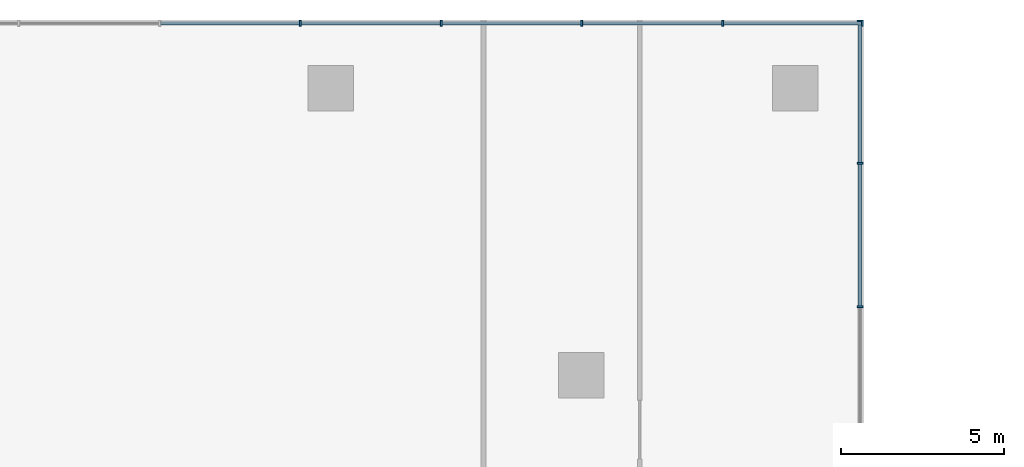
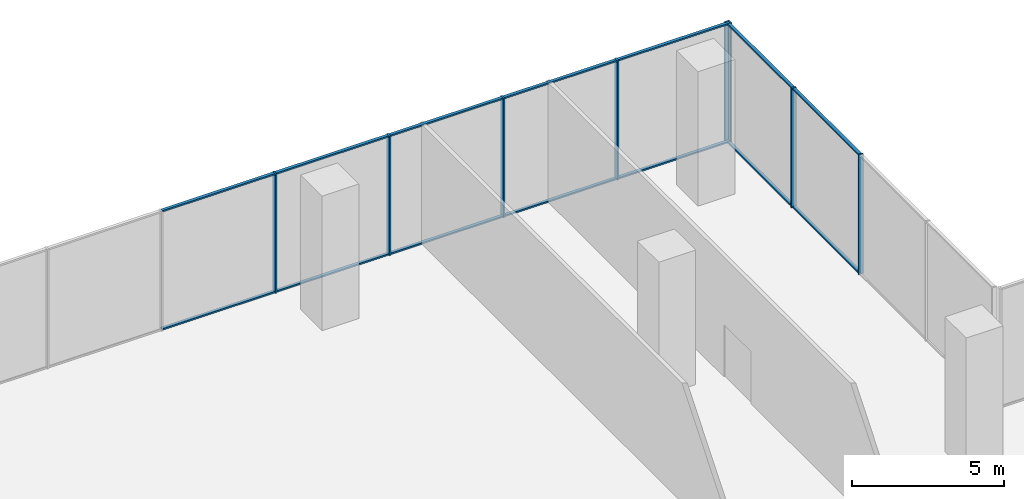
# One storey, part 11 of 23: 22 members, 2 elements without a shape of their own.
"""IFC4 building model written with IfcOpenShell, lengths in metres."""

from ifc_helpers import new_model, si_unit, direction, frame, origin, origin_2d, place, context, subcontext, project, spatial, rectangle, extrude, source, transform, mapped, material, layer, layer_set, material_profile, profile_set, type_object, element, aggregate, save


model = new_model("IFC4")

# Units and contexts
model_context = context("Model", 3, precision=1e-05, world=origin(), true_north=direction((0.0, 1.0)))
body_context = subcontext(model_context, "Body", "Model", "MODEL_VIEW")
ifc_project = project(units=[si_unit("LENGTHUNIT", "METRE"), si_unit("AREAUNIT", "SQUARE_METRE"), si_unit("VOLUMEUNIT", "CUBIC_METRE"), si_unit("PLANEANGLEUNIT", "RADIAN"), si_unit("MASSUNIT", "GRAM", prefix="KILO")], contexts=[model_context])

# Site, building, storey
site_placement = place(None, origin())
site = spatial("IfcSite", under=ifc_project, at=site_placement, CompositionType="ELEMENT")
building_placement = place(site_placement, origin())
building = spatial("IfcBuilding", under=site, at=building_placement, Name="Aurelian Terraces", CompositionType="ELEMENT")
storey_placement = place(building_placement, frame((0.0, 0.0, 18.3)))
storey = spatial("IfcBuildingStorey", under=building, at=storey_placement, Name="L03", CompositionType="ELEMENT", Elevation=18.3)

# Curtain wall, members
ifc_material_1 = material(Name="Anodised aluminium and clear glazing", Category="aluminium")
ifc_layer = layer(ifc_material_1, 0.2)
ifc_layer_set = layer_set([ifc_layer], Name="Winter garden glazing curtain wall")
curtain_wall_type = type_object("IfcCurtainWallType", Name="Winter garden glazing curtain wall", PredefinedType="NOTDEFINED", material=ifc_layer_set)
curtain_wall_1_placement = place(storey_placement, origin())
curtain_wall_1 = element("IfcCurtainWall", 1, at=curtain_wall_1_placement, inside=storey, type_object=curtain_wall_type, Name="Winter garden glazing L03 F04.1", PredefinedType="NOTDEFINED")
ifc_material_2 = material(Name="Anodised aluminium", Category="aluminium")
ifc_material_profile_1 = material_profile(ifc_material_2, rectangle(XDim=0.18, YDim=0.06, at=origin_2d()))
ifc_profile_set_1 = profile_set([ifc_material_profile_1], Name="Anodised aluminium")
member_type_1 = type_object("IfcMemberType", Name="Winter garden glazing mullion", PredefinedType="MULLION", material=ifc_profile_set_1)
shared_shape_1 = source(origin(), body_context, "Body", "SweptSolid", [
    extrude(rectangle(XDim=0.18, YDim=0.06, at=origin_2d()), origin(), (0.0, 0.0, 1.0), 4.8),
])
member_1_placement = place(storey_placement, frame((54.08, 63.0, 0.0), z_axis=(0.0, 0.0, 1.0), x_axis=(-1.0, 0.0, 0.0)))
member_1 = element("IfcMember", 2, at=member_1_placement, type_object=member_type_1, Name="CW6 mullion 3", PredefinedType="MULLION", context=body_context, shape_type="MappedRepresentation", body=[
    mapped(shared_shape_1, transform((0.0, 0.0, 0.0), scale=1.0)),
])
member_2_placement = place(storey_placement, frame((54.08, 67.41, 0.0), z_axis=(0.0, 0.0, 1.0), x_axis=(-1.0, 0.0, 0.0)))
member_2 = element("IfcMember", 3, at=member_2_placement, type_object=member_type_1, Name="CW6 mullion 4", PredefinedType="MULLION", context=body_context, shape_type="MappedRepresentation", body=[
    mapped(shared_shape_1, transform((0.0, 0.0, 0.0), scale=1.0)),
])
member_3_placement = place(storey_placement, frame((54.08, 71.79, 0.0), z_axis=(0.0, 0.0, 1.0), x_axis=(-1.0, 0.0, 0.0)))
member_3 = element("IfcMember", 4, at=member_3_placement, type_object=member_type_1, Name="CW6 mullion 5", PredefinedType="MULLION", context=body_context, shape_type="MappedRepresentation", body=[
    mapped(shared_shape_1, transform((0.0, 0.0, 0.0), scale=1.0)),
])

curtain_wall_2_placement = place(storey_placement, origin())
curtain_wall_2 = element("IfcCurtainWall", 5, at=curtain_wall_2_placement, inside=storey, type_object=curtain_wall_type, Name="Winter garden glazing L03 F05.1", PredefinedType="NOTDEFINED")
member_4_placement = place(storey_placement, frame((54.15, 71.72, 0.0), z_axis=(0.0, 0.0, 1.0), x_axis=(0.0, -1.0, 0.0)))
member_4 = element("IfcMember", 6, at=member_4_placement, type_object=member_type_1, Name="CW6 mullion 1", PredefinedType="MULLION", context=body_context, shape_type="MappedRepresentation", body=[
    mapped(shared_shape_1, transform((0.0, 0.0, 0.0), scale=1.0)),
])
member_5_placement = place(storey_placement, frame((49.8508, 71.72, 0.0), z_axis=(0.0, 0.0, 1.0), x_axis=(0.0, -1.0, 0.0)))
member_5 = element("IfcMember", 7, at=member_5_placement, type_object=member_type_1, Name="CW6 mullion 2", PredefinedType="MULLION", context=body_context, shape_type="MappedRepresentation", body=[
    mapped(shared_shape_1, transform((0.0, 0.0, 0.0), scale=1.0)),
])
member_6_placement = place(storey_placement, frame((45.5215, 71.72, 0.0), z_axis=(0.0, 0.0, 1.0), x_axis=(0.0, -1.0, 0.0)))
member_6 = element("IfcMember", 8, at=member_6_placement, type_object=member_type_1, Name="CW6 mullion 3", PredefinedType="MULLION", context=body_context, shape_type="MappedRepresentation", body=[
    mapped(shared_shape_1, transform((0.0, 0.0, 0.0), scale=1.0)),
])
member_7_placement = place(storey_placement, frame((41.1923, 71.72, 0.0), z_axis=(0.0, 0.0, 1.0), x_axis=(0.0, -1.0, 0.0)))
member_7 = element("IfcMember", 9, at=member_7_placement, type_object=member_type_1, Name="CW6 mullion 4", PredefinedType="MULLION", context=body_context, shape_type="MappedRepresentation", body=[
    mapped(shared_shape_1, transform((0.0, 0.0, 0.0), scale=1.0)),
])
member_8_placement = place(storey_placement, frame((36.8631, 71.72, 0.0), z_axis=(0.0, 0.0, 1.0), x_axis=(0.0, -1.0, 0.0)))
member_8 = element("IfcMember", 10, at=member_8_placement, type_object=member_type_1, Name="CW6 mullion 5", PredefinedType="MULLION", context=body_context, shape_type="MappedRepresentation", body=[
    mapped(shared_shape_1, transform((0.0, 0.0, 0.0), scale=1.0)),
])
ifc_material_profile_2 = material_profile(ifc_material_2, rectangle(XDim=0.12, YDim=0.06, at=origin_2d()))
ifc_profile_set_2 = profile_set([ifc_material_profile_2], Name="Anodised aluminium")
member_type_2 = type_object("IfcMemberType", Name="Winter garden glazing transom", PredefinedType="USERDEFINED", material=ifc_profile_set_2)
shared_shape_2 = source(origin(), body_context, "Body", "SweptSolid", [
    extrude(rectangle(XDim=0.12, YDim=0.06, at=origin_2d()), origin(), (0.0, 0.0, 1.0), 4.2392),
])
member_9_placement = place(storey_placement, frame((54.12, 71.72, 0.03), z_axis=(-1.0, 0.0, 0.0), x_axis=(0.0, -1.0, 0.0)))
member_9 = element("IfcMember", 11, at=member_9_placement, type_object=member_type_2, Name="CW6 transom 1.1", ObjectType="TRANSOM", PredefinedType="USERDEFINED", context=body_context, shape_type="MappedRepresentation", body=[
    mapped(shared_shape_2, transform((0.0, 0.0, 0.0), scale=1.0)),
])
member_10_placement = place(storey_placement, frame((54.12, 71.72, 4.77), z_axis=(-1.0, 0.0, 0.0), x_axis=(0.0, -1.0, 0.0)))
member_10 = element("IfcMember", 12, at=member_10_placement, type_object=member_type_2, Name="CW6 transom 1.2", ObjectType="TRANSOM", PredefinedType="USERDEFINED", context=body_context, shape_type="MappedRepresentation", body=[
    mapped(shared_shape_2, transform((0.0, 0.0, 0.0), scale=1.0)),
])
shared_shape_3 = source(origin(), body_context, "Body", "SweptSolid", [
    extrude(rectangle(XDim=0.12, YDim=0.06, at=origin_2d()), origin(), (0.0, 0.0, 1.0), 4.2693),
])
member_11_placement = place(storey_placement, frame((49.8208, 71.72, 0.03), z_axis=(-1.0, 0.0, 0.0), x_axis=(0.0, -1.0, 0.0)))
member_11 = element("IfcMember", 13, at=member_11_placement, type_object=member_type_2, Name="CW6 transom 2.1", ObjectType="TRANSOM", PredefinedType="USERDEFINED", context=body_context, shape_type="MappedRepresentation", body=[
    mapped(shared_shape_3, transform((0.0, 0.0, 0.0), scale=1.0)),
])
member_12_placement = place(storey_placement, frame((49.8208, 71.72, 4.77), z_axis=(-1.0, 0.0, 0.0), x_axis=(0.0, -1.0, 0.0)))
member_12 = element("IfcMember", 14, at=member_12_placement, type_object=member_type_2, Name="CW6 transom 2.2", ObjectType="TRANSOM", PredefinedType="USERDEFINED", context=body_context, shape_type="MappedRepresentation", body=[
    mapped(shared_shape_3, transform((0.0, 0.0, 0.0), scale=1.0)),
])
member_13_placement = place(storey_placement, frame((36.8331, 71.72, 0.03), z_axis=(-1.0, 0.0, 0.0), x_axis=(0.0, -1.0, 0.0)))
member_13 = element("IfcMember", 15, at=member_13_placement, type_object=member_type_2, Name="CW6 transom 5.1", ObjectType="TRANSOM", PredefinedType="USERDEFINED", context=body_context, shape_type="MappedRepresentation", body=[
    mapped(shared_shape_3, transform((0.0, 0.0, 0.0), scale=1.0)),
])
member_14_placement = place(storey_placement, frame((36.8331, 71.72, 4.77), z_axis=(-1.0, 0.0, 0.0), x_axis=(0.0, -1.0, 0.0)))
member_14 = element("IfcMember", 16, at=member_14_placement, type_object=member_type_2, Name="CW6 transom 5.2", ObjectType="TRANSOM", PredefinedType="USERDEFINED", context=body_context, shape_type="MappedRepresentation", body=[
    mapped(shared_shape_3, transform((0.0, 0.0, 0.0), scale=1.0)),
])
shared_shape_4 = source(origin(), body_context, "Body", "SweptSolid", [
    extrude(rectangle(XDim=0.12, YDim=0.06, at=origin_2d()), origin(), (0.0, 0.0, 1.0), 4.2692),
])
member_15_placement = place(storey_placement, frame((45.4915, 71.72, 0.03), z_axis=(-1.0, 0.0, 0.0), x_axis=(0.0, -1.0, 0.0)))
member_15 = element("IfcMember", 17, at=member_15_placement, type_object=member_type_2, Name="CW6 transom 3.1", ObjectType="TRANSOM", PredefinedType="USERDEFINED", context=body_context, shape_type="MappedRepresentation", body=[
    mapped(shared_shape_4, transform((0.0, 0.0, 0.0), scale=1.0)),
])
member_16_placement = place(storey_placement, frame((45.4915, 71.72, 4.77), z_axis=(-1.0, 0.0, 0.0), x_axis=(0.0, -1.0, 0.0)))
member_16 = element("IfcMember", 18, at=member_16_placement, type_object=member_type_2, Name="CW6 transom 3.2", ObjectType="TRANSOM", PredefinedType="USERDEFINED", context=body_context, shape_type="MappedRepresentation", body=[
    mapped(shared_shape_4, transform((0.0, 0.0, 0.0), scale=1.0)),
])
member_17_placement = place(storey_placement, frame((41.1623, 71.72, 0.03), z_axis=(-1.0, 0.0, 0.0), x_axis=(0.0, -1.0, 0.0)))
member_17 = element("IfcMember", 19, at=member_17_placement, type_object=member_type_2, Name="CW6 transom 4.1", ObjectType="TRANSOM", PredefinedType="USERDEFINED", context=body_context, shape_type="MappedRepresentation", body=[
    mapped(shared_shape_4, transform((0.0, 0.0, 0.0), scale=1.0)),
])
member_18_placement = place(storey_placement, frame((41.1623, 71.72, 4.77), z_axis=(-1.0, 0.0, 0.0), x_axis=(0.0, -1.0, 0.0)))
member_18 = element("IfcMember", 20, at=member_18_placement, type_object=member_type_2, Name="CW6 transom 4.2", ObjectType="TRANSOM", PredefinedType="USERDEFINED", context=body_context, shape_type="MappedRepresentation", body=[
    mapped(shared_shape_4, transform((0.0, 0.0, 0.0), scale=1.0)),
])
aggregate(curtain_wall_2, [member_4, member_5, member_6, member_7, member_8, member_9, member_10, member_11, member_12, member_15, member_16, member_17, member_18, member_13, member_14])

# Member
shared_shape_5 = source(origin(), body_context, "Body", "SweptSolid", [
    extrude(rectangle(XDim=0.12, YDim=0.06, at=origin_2d()), origin(), (0.0, 0.0, 1.0), 4.32),
])
member_19_placement = place(storey_placement, frame((54.08, 67.44, 0.03), z_axis=(0.0, 1.0, 0.0), x_axis=(-1.0, 0.0, 0.0)))
member_19 = element("IfcMember", 21, at=member_19_placement, type_object=member_type_2, Name="CW6 transom 4.1", ObjectType="TRANSOM", PredefinedType="USERDEFINED", context=body_context, shape_type="MappedRepresentation", body=[
    mapped(shared_shape_5, transform((0.0, 0.0, 0.0), scale=1.0)),
])

member_20_placement = place(storey_placement, frame((54.08, 67.44, 4.77), z_axis=(0.0, 1.0, 0.0), x_axis=(-1.0, 0.0, 0.0)))
member_20 = element("IfcMember", 22, at=member_20_placement, type_object=member_type_2, Name="CW6 transom 4.2", ObjectType="TRANSOM", PredefinedType="USERDEFINED", context=body_context, shape_type="MappedRepresentation", body=[
    mapped(shared_shape_5, transform((0.0, 0.0, 0.0), scale=1.0)),
])

shared_shape_6 = source(origin(), body_context, "Body", "SweptSolid", [
    extrude(rectangle(XDim=0.12, YDim=0.06, at=origin_2d()), origin(), (0.0, 0.0, 1.0), 4.35),
])
member_21_placement = place(storey_placement, frame((54.08, 63.03, 0.03), z_axis=(0.0, 1.0, 0.0), x_axis=(-1.0, 0.0, 0.0)))
member_21 = element("IfcMember", 23, at=member_21_placement, type_object=member_type_2, Name="CW6 transom 3.1", ObjectType="TRANSOM", PredefinedType="USERDEFINED", context=body_context, shape_type="MappedRepresentation", body=[
    mapped(shared_shape_6, transform((0.0, 0.0, 0.0), scale=1.0)),
])

member_22_placement = place(storey_placement, frame((54.08, 63.03, 4.77), z_axis=(0.0, 1.0, 0.0), x_axis=(-1.0, 0.0, 0.0)))
member_22 = element("IfcMember", 24, at=member_22_placement, type_object=member_type_2, Name="CW6 transom 3.2", ObjectType="TRANSOM", PredefinedType="USERDEFINED", context=body_context, shape_type="MappedRepresentation", body=[
    mapped(shared_shape_6, transform((0.0, 0.0, 0.0), scale=1.0)),
])

aggregate(curtain_wall_1, [member_1, member_2, member_3, member_21, member_22, member_19, member_20])

save(model, "model.ifc")
